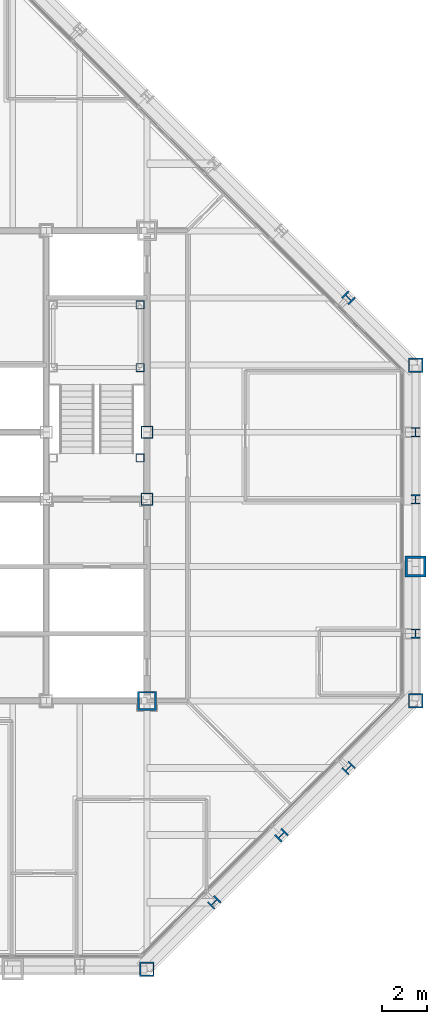
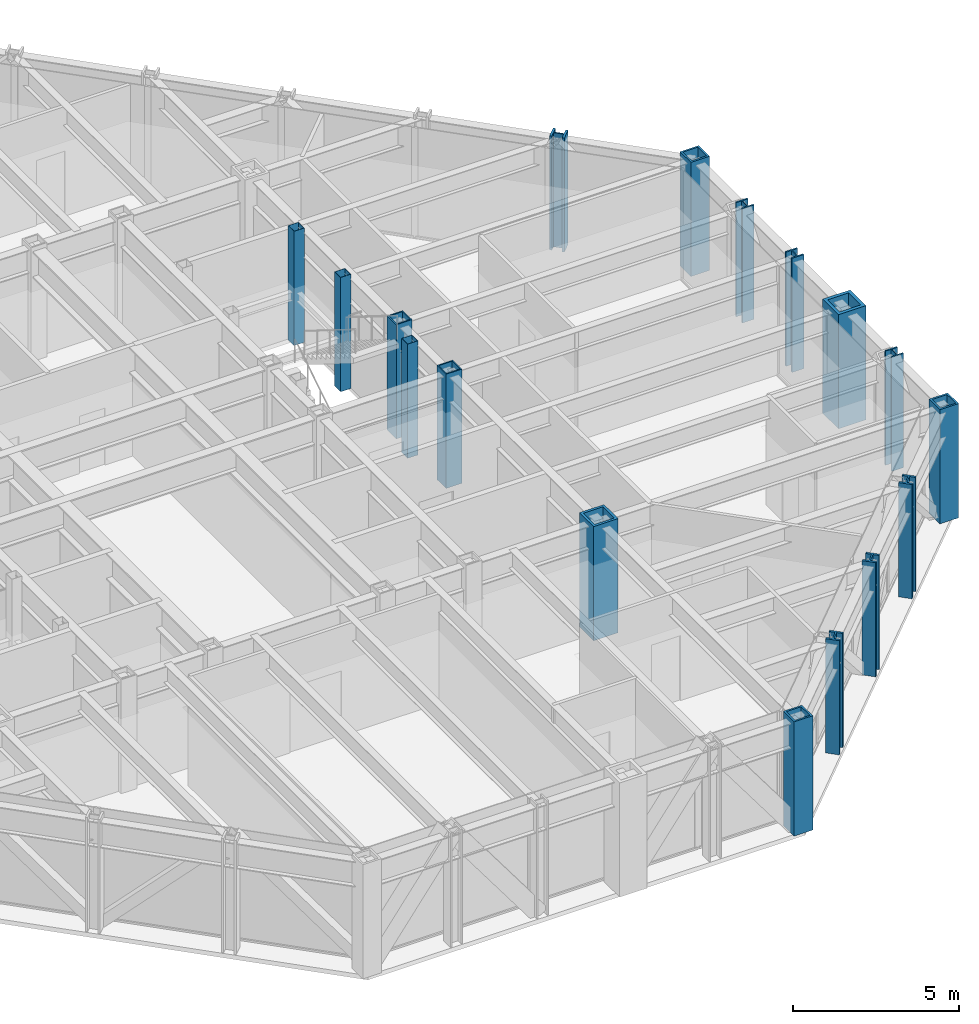
# One storey, part 3 of 16: 17 columns.
"""IFC4 building model written with IfcOpenShell, lengths in metres."""

from ifc_helpers import new_model, si_unit, direction, frame, origin, origin_2d, place, context, subcontext, project, spatial, hollow_rectangle, i_section, extrude, material, material_profile, profile_set, type_object, element, save


model = new_model("IFC4")

# Units and contexts
model_context = context("Model", 3, precision=1e-05, world=origin(), true_north=direction((0.0, 1.0)))
body_context = subcontext(model_context, "Body", "Model", "MODEL_VIEW")
ifc_project = project(units=[si_unit("LENGTHUNIT", "METRE"), si_unit("AREAUNIT", "SQUARE_METRE"), si_unit("VOLUMEUNIT", "CUBIC_METRE"), si_unit("PLANEANGLEUNIT", "RADIAN"), si_unit("MASSUNIT", "GRAM", prefix="KILO")], contexts=[model_context])

# Site, building, storey
site_placement = place(None, origin())
site = spatial("IfcSite", under=ifc_project, at=site_placement, CompositionType="ELEMENT")
building_placement = place(site_placement, origin())
building = spatial("IfcBuilding", under=site, at=building_placement, Name="Chuquiago Exchange Tower", CompositionType="ELEMENT")
storey_placement = place(building_placement, frame((0.0, 0.0, 230.699951171875)))
storey = spatial("IfcBuildingStorey", under=building, at=storey_placement, Name="L51", CompositionType="ELEMENT", Elevation=230.699951171875)

# Columns
ifc_material_1 = material(Name="Steel ASTM A992", Category="steel")
ifc_material_profile_1 = material_profile(ifc_material_1, i_section(OverallWidth=0.408935546875, OverallDepth=0.424072265625, WebThickness=0.03271484375, FlangeThickness=0.052490234375, at=origin_2d()), Name="W14X283")
ifc_profile_set_1 = profile_set([ifc_material_profile_1], Name="Steel ASTM A992")
column_type_1 = type_object("IfcColumnType", Name="C8 W14X283", PredefinedType="COLUMN", material=ifc_profile_set_1)
for number, where, z_axis, x_axis, name in (
    (1, (45.0, 15.0, 0.0), (0.0, 0.0, 1.0), (1.0, 0.0, 0.0), "COL-L51-45_15"),
    (2, (45.0, 21.0, 0.0), (0.0, 0.0, 1.0), (1.0, 0.0, 0.0), "COL-L51-45_21"),
    (3, (45.0, 24.0, 0.0), (0.0, 0.0, 1.0), (1.0, 0.0, 0.0), "COL-L51-45_24"),
):
    element("IfcColumn", number, at=place(storey_placement, frame(where, z_axis=z_axis, x_axis=x_axis)), inside=storey, type_object=column_type_1, Name=name, PredefinedType="COLUMN", context=body_context, shape_type="SweptSolid", body=[
        extrude(i_section(OverallWidth=0.408935546875, OverallDepth=0.424072265625, WebThickness=0.03271484375, FlangeThickness=0.052490234375, at=origin_2d()), origin(), (0.0, 0.0, 1.0), 4.199951171875),
    ])
ifc_material_2 = material(Name="Steel ASTM A572 Grade 50", Category="steel")
ifc_material_profile_2 = material_profile(ifc_material_2, hollow_rectangle(XDim=0.85009765625, YDim=0.85009765625, WallThickness=0.0849609375, at=origin_2d()), Name="BOX850X850X85")
ifc_profile_set_2 = profile_set([ifc_material_profile_2], Name="Steel ASTM A572 Grade 50")
column_type_2 = type_object("IfcColumnType", Name="CC6 BOX850X850X85", PredefinedType="COLUMN", material=ifc_profile_set_2)
column_1_placement = place(storey_placement, frame((33.0, 12.0, 0.0), z_axis=(0.0, 0.0, 1.0), x_axis=(1.0, 0.0, 0.0)))
element("IfcColumn", 4, at=column_1_placement, inside=storey, type_object=column_type_2, Name="CCOL-L51-33_12", PredefinedType="COLUMN", context=body_context, shape_type="SweptSolid", body=[
    extrude(hollow_rectangle(XDim=0.85009765625, YDim=0.85009765625, WallThickness=0.0849609375, at=origin_2d()), origin(), (0.0, 0.0, 1.0), 4.199951171875),
])
ifc_material_3 = material(Name="Steel ASTM A572 Grade 50", Category="steel")
ifc_material_profile_3 = material_profile(ifc_material_3, hollow_rectangle(XDim=0.550048828125, YDim=0.550048828125, WallThickness=0.044921875, at=origin_2d()), Name="BOX550X550X45")
ifc_profile_set_3 = profile_set([ifc_material_profile_3], Name="Steel ASTM A572 Grade 50")
column_type_3 = type_object("IfcColumnType", Name="CC8 BOX550X550X45", PredefinedType="COLUMN", material=ifc_profile_set_3)
for number, where, z_axis, x_axis, name in (
    (5, (33.0, 21.0, 0.0), (0.0, 0.0, 1.0), (1.0, 0.0, 0.0), "CCOL-L51-33_21"),
    (6, (33.0, 24.0, 0.0), (0.0, 0.0, 1.0), (1.0, 0.0, 0.0), "CCOL-L51-33_24"),
):
    element("IfcColumn", number, at=place(storey_placement, frame(where, z_axis=z_axis, x_axis=x_axis)), inside=storey, type_object=column_type_3, Name=name, PredefinedType="COLUMN", context=body_context, shape_type="SweptSolid", body=[
        extrude(hollow_rectangle(XDim=0.550048828125, YDim=0.550048828125, WallThickness=0.044921875, at=origin_2d()), origin(), (0.0, 0.0, 1.0), 4.199951171875),
    ])
ifc_material_4 = material(Name="Steel ASTM A992", Category="steel")
ifc_material_profile_4 = material_profile(ifc_material_4, i_section(OverallWidth=0.421630859375, OverallDepth=0.46484375, WebThickness=0.044921875, FlangeThickness=0.072509765625, at=origin_2d()), Name="W14X398")
ifc_profile_set_4 = profile_set([ifc_material_profile_4], Name="Steel ASTM A992")
column_type_4 = type_object("IfcColumnType", Name="CK7 W14X398", PredefinedType="COLUMN", material=ifc_profile_set_4)
for number, where, z_axis, x_axis, name in (
    (7, (36.0, 3.0, 0.0), (0.0, 0.0, 1.0), (0.707106781187, -0.707106781187, 0.0), "COL-L51-36_3"),
    (8, (39.0, 6.0, 0.0), (0.0, 0.0, 1.0), (0.707106781187, -0.707106781187, 0.0), "COL-L51-39_6"),
    (9, (42.0, 9.0, 0.0), (0.0, 0.0, 1.0), (0.707106781187, -0.707106781187, 0.0), "COL-L51-42_9"),
    (10, (42.0, 30.0, 0.0), (0.0, 0.0, 1.0), (0.707106781187, 0.707106781187, 0.0), "COL-L51-42_30"),
):
    element("IfcColumn", number, at=place(storey_placement, frame(where, z_axis=z_axis, x_axis=x_axis)), inside=storey, type_object=column_type_4, Name=name, PredefinedType="COLUMN", context=body_context, shape_type="SweptSolid", body=[
        extrude(i_section(OverallWidth=0.421630859375, OverallDepth=0.46484375, WebThickness=0.044921875, FlangeThickness=0.072509765625, at=origin_2d()), origin(), (0.0, 0.0, 1.0), 4.199951171875),
    ])
ifc_material_5 = material(Name="Steel ASTM A572 Grade 50", Category="steel")
ifc_material_profile_5 = material_profile(ifc_material_5, hollow_rectangle(XDim=0.64990234375, YDim=0.64990234375, WallThickness=0.06494140625, at=origin_2d()), Name="BOX650X650X65")
ifc_profile_set_5 = profile_set([ifc_material_profile_5], Name="Steel ASTM A572 Grade 50")
column_type_5 = type_object("IfcColumnType", Name="CN2 BOX650X650X65", PredefinedType="COLUMN", material=ifc_profile_set_5)
for number, where, z_axis, x_axis, name in (
    (11, (33.0, 0.0, 0.0), (0.0, 0.0, 1.0), (0.0, -1.0, 0.0), "COL-L51-33_0"),
    (12, (45.0, 12.0, 0.0), (0.0, 0.0, 1.0), (1.0, 0.0, 0.0), "COL-L51-45_12"),
    (13, (45.0, 27.0, 0.0), (0.0, 0.0, 1.0), (1.0, 0.0, 0.0), "COL-L51-45_27"),
):
    element("IfcColumn", number, at=place(storey_placement, frame(where, z_axis=z_axis, x_axis=x_axis)), inside=storey, type_object=column_type_5, Name=name, PredefinedType="COLUMN", context=body_context, shape_type="SweptSolid", body=[
        extrude(hollow_rectangle(XDim=0.64990234375, YDim=0.64990234375, WallThickness=0.06494140625, at=origin_2d()), origin(), (0.0, 0.0, 1.0), 4.199951171875),
    ])
ifc_material_6 = material(Name="Steel ASTM A572 Grade 42", Category="steel")
ifc_material_profile_6 = material_profile(ifc_material_6, hollow_rectangle(XDim=0.949951171875, YDim=0.949951171875, WallThickness=0.110107421875, at=origin_2d()), Name="BOX950X950X110")
ifc_profile_set_6 = profile_set([ifc_material_profile_6], Name="Steel ASTM A572 Grade 42")
column_type_6 = type_object("IfcColumnType", Name="CT1 BOX950X950X110", PredefinedType="COLUMN", material=ifc_profile_set_6)
column_2_placement = place(storey_placement, frame((45.0, 18.0, 0.0), z_axis=(0.0, 0.0, 1.0), x_axis=(1.0, 0.0, 0.0)))
element("IfcColumn", 14, at=column_2_placement, inside=storey, type_object=column_type_6, Name="COL-L51-45_18", PredefinedType="COLUMN", context=body_context, shape_type="SweptSolid", body=[
    extrude(hollow_rectangle(XDim=0.949951171875, YDim=0.949951171875, WallThickness=0.110107421875, at=origin_2d()), origin(), (0.0, 0.0, 1.0), 4.199951171875),
])
ifc_material_7 = material(Name="Steel ASTM A500 Grade C", Category="steel")
ifc_material_profile_7 = material_profile(ifc_material_7, hollow_rectangle(XDim=0.355712890625, YDim=0.355712890625, WallThickness=0.0087890625, at=origin_2d()), Name="HSS14X14X3/8")
ifc_profile_set_7 = profile_set([ifc_material_profile_7], Name="Steel ASTM A500 Grade C")
column_type_7 = type_object("IfcColumnType", Name="PT1 HSS14X14X3/8", PredefinedType="COLUMN", material=ifc_profile_set_7)
for number, where, z_axis, x_axis, name in (
    (15, (32.68994140625, 29.68994140625, 0.0), (0.0, 0.0, 1.0), (1.0, 0.0, 0.0), "Stair ST2 L51 landing post"),
    (16, (32.68994140625, 26.889892578125, 0.0), (0.0, 0.0, 1.0), (1.0, 0.0, 0.0), "Stair ST2 L51 landing post"),
    (17, (32.68994140625, 22.85009765625, 0.0), (0.0, 0.0, 1.0), (1.0, 0.0, 0.0), "Stair ST2 L51 landing post"),
):
    element("IfcColumn", number, at=place(storey_placement, frame(where, z_axis=z_axis, x_axis=x_axis)), inside=storey, type_object=column_type_7, Name=name, PredefinedType="COLUMN", context=body_context, shape_type="SweptSolid", body=[
        extrude(hollow_rectangle(XDim=0.355712890625, YDim=0.355712890625, WallThickness=0.0087890625, at=origin_2d()), origin(), (0.0, 0.0, 1.0), 4.199951171875),
    ])

save(model, "model.ifc")
